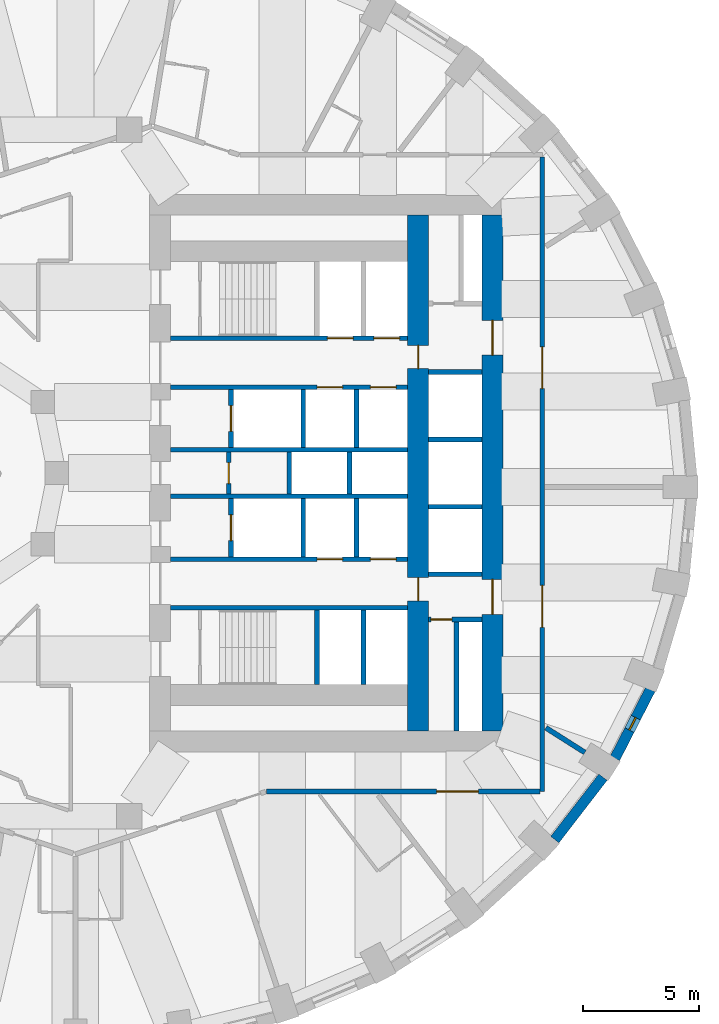
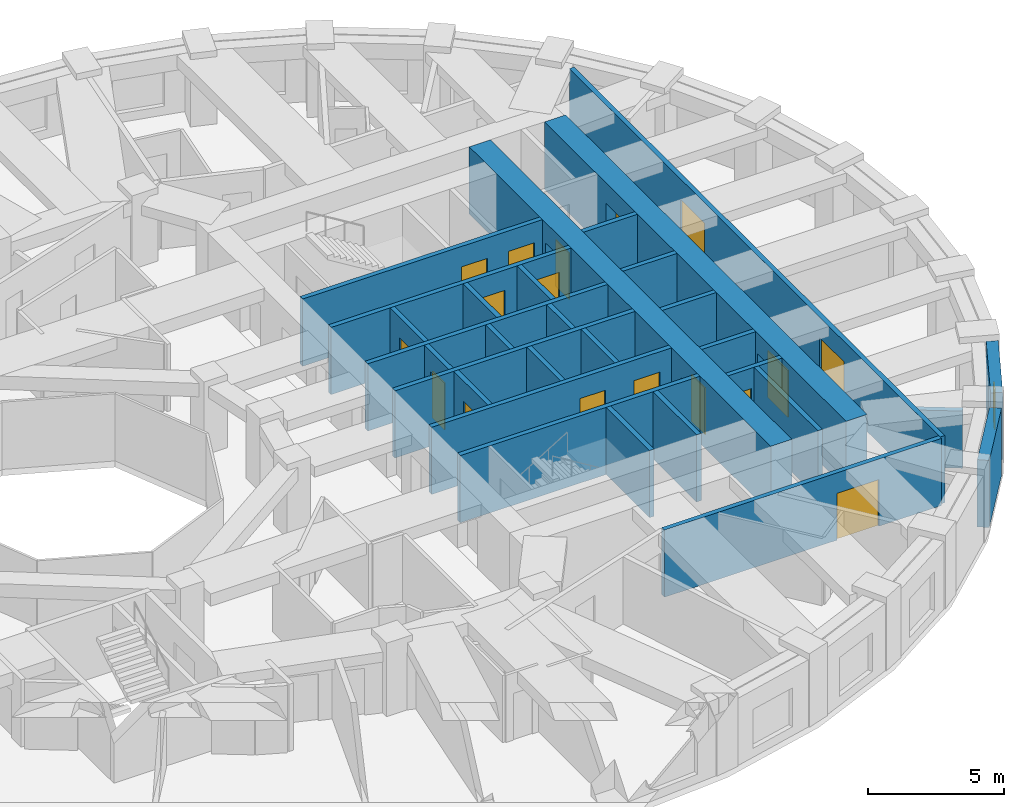
# One storey, part 6 of 12: 30 walls, 17 doors, 1 window, 18 openings.
"""IFC4 building model written with IfcOpenShell, lengths in metres."""

from ifc_helpers import new_model, si_unit, direction, frame, frame_2d, origin, place, context, subcontext, project, spatial, rectangle, extrude, material, layer, layer_set, type_object, element, fill, save


model = new_model("IFC4")

# Units and contexts
model_context = context("Model", 3, precision=1e-05, world=origin(), true_north=direction((0.0, 1.0)))
body_context = subcontext(model_context, "Body", "Model", "MODEL_VIEW")
ifc_project = project(units=[si_unit("LENGTHUNIT", "METRE"), si_unit("AREAUNIT", "SQUARE_METRE"), si_unit("VOLUMEUNIT", "CUBIC_METRE"), si_unit("PLANEANGLEUNIT", "RADIAN"), si_unit("MASSUNIT", "GRAM", prefix="KILO")], contexts=[model_context])

# Site, building, storey
site_placement = place(None, origin())
site = spatial("IfcSite", under=ifc_project, at=site_placement, CompositionType="ELEMENT")
building_placement = place(site_placement, origin())
building = spatial("IfcBuilding", under=site, at=building_placement, Name="Taillehof Tower", CompositionType="ELEMENT")
storey_placement = place(building_placement, frame((0.0, 0.0, 125.199951171875)))
storey = spatial("IfcBuildingStorey", under=building, at=storey_placement, Name="L35", CompositionType="ELEMENT", Elevation=125.199951171875)

# Wall
ifc_material_1 = material(Name="Brick masonry", Category="masonry")
ifc_layer_1 = layer(ifc_material_1, 0.449951171875)
ifc_layer_set_1 = layer_set([ifc_layer_1], Name="Brick infill wall 450")
wall_type_1 = type_object("IfcWallType", Name="Brick infill wall 450", PredefinedType="SOLIDWALL", material=ifc_layer_set_1)
wall_1_placement = place(storey_placement, frame((21.43505859375, -15.775390625, 0.0), z_axis=(0.0, 0.0, 1.0), x_axis=(0.610693945156, 0.791866721961, 0.0)))
element("IfcWall", 1, at=wall_1_placement, inside=storey, type_object=wall_type_1, Name="Brick wall L35 bay 33", PredefinedType="SOLIDWALL", context=body_context, shape_type="SweptSolid", body=[
    extrude(rectangle(XDim=3.39453125, YDim=0.449951171875, at=frame_2d((1.697265625, 0.0))), origin(), (0.0, 0.0, 1.0), 3.02001953125),
])

# Wall, opening, window
wall_2_placement = place(storey_placement, frame((24.022705078125, -12.27685546875, 0.0), z_axis=(0.0, 0.0, 1.0), x_axis=(0.456828186229, 0.889554949549, 0.0)))
wall_2 = element("IfcWall", 2, at=wall_2_placement, inside=storey, type_object=wall_type_1, Name="Brick wall L35 bay 34", PredefinedType="SOLIDWALL", context=body_context, shape_type="SweptSolid", body=[
    extrude(rectangle(XDim=3.332763671875, YDim=0.449951171875, at=frame_2d((1.66650390625, 0.0))), origin(), (0.0, 0.0, 1.0), 3.02001953125),
])
opening_1_placement = place(wall_2_placement, frame((1.366455078125, 0.0, 0.39990234375)))
opening_1 = element("IfcOpeningElement", 3, at=opening_1_placement, cuts=wall_2, Name="Opening W6", PredefinedType="OPENING", context=body_context, shape_type="SweptSolid", body=[
    extrude(rectangle(XDim=0.60009765625, YDim=1.75, at=frame_2d((0.300048828125, 0.875))), frame((0.0, 0.23486328125, 0.0), z_axis=(0.0, -1.0, 0.0), x_axis=(1.0, 0.0, 0.0)), (0.0, 0.0, 1.0), 0.469970703125),
])
ifc_material_2 = material(Name="Aluminium window frame with clear double glazing", Category="aluminium")
window_type = type_object("IfcWindowType", Name="Slot window 600x1750", PartitioningType="SINGLE_PANEL", PredefinedType="WINDOW", material=ifc_material_2)
window_placement = place(opening_1_placement, origin())
window = element("IfcWindow", 4, at=window_placement, inside=storey, type_object=window_type, Name="W6", OverallHeight=1.75, OverallWidth=0.60009765625, PartitioningType="SINGLE_PANEL", PredefinedType="WINDOW", context=body_context, shape_type="SweptSolid", body=[
    extrude(rectangle(XDim=0.60009765625, YDim=1.75, at=frame_2d((0.300048828125, 0.875))), frame((0.0, 0.034912109375, 0.0), z_axis=(0.0, -1.0, 0.0), x_axis=(1.0, 0.0, 0.0)), (0.0, 0.0, 1.0), 0.06005859375),
])
fill(opening_1, window)

# Wall, opening, door
ifc_material_3 = material(Name="Calcium silicate masonry", Category="masonry")
ifc_layer_2 = layer(ifc_material_3, 0.199951171875)
ifc_layer_set_2 = layer_set([ifc_layer_2], Name="Compartment wall calcium silicate 200")
wall_type_2 = type_object("IfcWallType", Name="Compartment wall calcium silicate 200", PredefinedType="PARTITIONING", material=ifc_layer_set_2)
wall_3_placement = place(storey_placement, frame((7.39990234375, -0.89990234375, 0.0), z_axis=(0.0, 0.0, 1.0), x_axis=(0.0, 1.0, 0.0)))
wall_3 = element("IfcWall", 5, at=wall_3_placement, inside=storey, type_object=wall_type_2, Name="Compartment wall FW", PredefinedType="PARTITIONING", context=body_context, shape_type="SweptSolid", body=[
    extrude(rectangle(XDim=1.7998046875, YDim=0.199951171875, at=frame_2d((0.89990234375, 0.0))), origin(), (0.0, 0.0, 1.0), 3.02001953125),
])
opening_2_placement = place(wall_3_placement, frame((0.449951171875, 0.0, 0.0)))
opening_2 = element("IfcOpeningElement", 6, at=opening_2_placement, cuts=wall_3, Name="Opening D3514", PredefinedType="OPENING", context=body_context, shape_type="SweptSolid", body=[
    extrude(rectangle(XDim=0.89990234375, YDim=2.10009765625, at=frame_2d((0.449951171875, 1.050048828125))), frame((0.0, 0.10986328125, 0.0), z_axis=(0.0, -1.0, 0.0), x_axis=(1.0, 0.0, 0.0)), (0.0, 0.0, 1.0), 0.219970703125),
])
ifc_material_4 = material(Name="Steel-faced fire door", Category="steel")
door_type_1 = type_object("IfcDoorType", Name="Riser and service room door 900x2100", OperationType="SINGLE_SWING_LEFT", PredefinedType="DOOR", material=ifc_material_4)
door_1_placement = place(opening_2_placement, origin())
door_1 = element("IfcDoor", 7, at=door_1_placement, inside=storey, type_object=door_type_1, Name="Door Beverage Store", OperationType="SINGLE_SWING_RIGHT", OverallHeight=2.10009765625, OverallWidth=0.89990234375, PredefinedType="DOOR", context=body_context, shape_type="SweptSolid", body=[
    extrude(rectangle(XDim=0.89990234375, YDim=2.10009765625, at=frame_2d((0.449951171875, 1.050048828125))), frame((0.0, 0.02490234375, 0.0), z_axis=(0.0, -1.0, 0.0), x_axis=(1.0, 0.0, 0.0)), (0.0, 0.0, 1.0), 0.050048828125),
])
fill(opening_2, door_1)

# Walls
for number, where, z_axis, x_axis, name in (
    (8, (10.0, -0.89990234375, 0.0), (0.0, 0.0, 1.0), (0.0, 1.0, 0.0), "Compartment wall FW"),
    (9, (12.60009765625, -0.89990234375, 0.0), (0.0, 0.0, 1.0), (0.0, 1.0, 0.0), "Compartment wall FW"),
):
    element("IfcWall", number, at=place(storey_placement, frame(where, z_axis=z_axis, x_axis=x_axis)), inside=storey, type_object=wall_type_2, Name=name, PredefinedType="PARTITIONING", context=body_context, shape_type="SweptSolid", body=[
        extrude(rectangle(XDim=1.7998046875, YDim=0.199951171875, at=frame_2d((0.89990234375, 0.0))), origin(), (0.0, 0.0, 1.0), 3.02001953125),
    ])

# Wall, opening, door
wall_4_placement = place(storey_placement, frame((16.0, -6.300048828125, 0.0), z_axis=(0.0, 0.0, 1.0), x_axis=(1.0, 0.0, 0.0)))
wall_4 = element("IfcWall", 10, at=wall_4_placement, inside=storey, type_object=wall_type_2, Name="Compartment wall FW", PredefinedType="PARTITIONING", context=body_context, shape_type="SweptSolid", body=[
    extrude(rectangle(XDim=2.300048828125, YDim=0.199951171875, at=frame_2d((1.14990234375, 0.0))), origin(), (0.0, 0.0, 1.0), 3.02001953125),
])
opening_3_placement = place(wall_4_placement, frame((0.10009765625, 0.0, 0.0)))
opening_3 = element("IfcOpeningElement", 11, at=opening_3_placement, cuts=wall_4, Name="Opening D3518", PredefinedType="OPENING", context=body_context, shape_type="SweptSolid", body=[
    extrude(rectangle(XDim=0.89990234375, YDim=2.10009765625, at=frame_2d((0.449951171875, 1.050048828125))), frame((0.0, 0.10986328125, 0.0), z_axis=(0.0, -1.0, 0.0), x_axis=(1.0, 0.0, 0.0)), (0.0, 0.0, 1.0), 0.219970703125),
])
door_2_placement = place(opening_3_placement, origin())
door_2 = element("IfcDoor", 12, at=door_2_placement, inside=storey, type_object=door_type_1, Name="Door Pump Room", OperationType="SINGLE_SWING_LEFT", OverallHeight=2.10009765625, OverallWidth=0.89990234375, PredefinedType="DOOR", context=body_context, shape_type="SweptSolid", body=[
    extrude(rectangle(XDim=0.89990234375, YDim=2.10009765625, at=frame_2d((0.449951171875, 1.050048828125))), frame((0.0, 0.02490234375, 0.0), z_axis=(0.0, -1.0, 0.0), x_axis=(1.0, 0.0, 0.0)), (0.0, 0.0, 1.0), 0.050048828125),
])
fill(opening_3, door_2)

# Wall
wall_5_placement = place(storey_placement, frame((17.199951171875, -11.10009765625, 0.0), z_axis=(0.0, 0.0, 1.0), x_axis=(0.0, 1.0, 0.0)))
element("IfcWall", 13, at=wall_5_placement, inside=storey, type_object=wall_type_2, Name="Compartment wall FW", PredefinedType="PARTITIONING", context=body_context, shape_type="SweptSolid", body=[
    extrude(rectangle(XDim=4.7001953125, YDim=0.199951171875, at=frame_2d((2.35009765625, 0.0))), origin(), (0.0, 0.0, 1.0), 3.02001953125),
])

# Wall, openings, doors
ifc_material_5 = material(Name="Gypsum board on steel studs, two layers each side", Category="steel")
ifc_layer_3 = layer(ifc_material_5, 0.199951171875)
ifc_layer_set_3 = layer_set([ifc_layer_3], Name="Compartment wall corridor 200")
wall_type_3 = type_object("IfcWallType", Name="Compartment wall corridor 200", PredefinedType="PARTITIONING", material=ifc_layer_set_3)
wall_6_placement = place(storey_placement, frame((20.89990234375, 13.599853515625, 0.0), z_axis=(0.0, 0.0, 1.0), x_axis=(0.0, -1.0, 0.0)))
wall_6 = element("IfcWall", 14, at=wall_6_placement, inside=storey, type_object=wall_type_3, Name="Compartment wall", PredefinedType="PARTITIONING", context=body_context, shape_type="SweptSolid", body=[
    extrude(rectangle(XDim=27.2998046875, YDim=0.199951171875, at=frame_2d((13.64990234375, 0.0))), origin(), (0.0, 0.0, 1.0), 3.02001953125),
])
opening_4_placement = place(wall_6_placement, frame((18.433349609375, 0.0, 0.0)))
opening_4 = element("IfcOpeningElement", 15, at=opening_4_placement, cuts=wall_6, Name="Opening D3563", PredefinedType="OPENING", context=body_context, shape_type="SweptSolid", body=[
    extrude(rectangle(XDim=1.800048828125, YDim=2.10009765625, at=frame_2d((0.89990234375, 1.050048828125))), frame((0.0, 0.10986328125, 0.0), z_axis=(0.0, -1.0, 0.0), x_axis=(1.0, 0.0, 0.0)), (0.0, 0.0, 1.0), 0.219970703125),
])
opening_5_placement = place(wall_6_placement, frame((8.16650390625, 0.0, 0.0)))
opening_5 = element("IfcOpeningElement", 16, at=opening_5_placement, cuts=wall_6, Name="Opening D3564", PredefinedType="OPENING", context=body_context, shape_type="SweptSolid", body=[
    extrude(rectangle(XDim=1.800048828125, YDim=2.10009765625, at=frame_2d((0.89990234375, 1.050048828125))), frame((0.0, 0.10986328125, 0.0), z_axis=(0.0, -1.0, 0.0), x_axis=(1.0, 0.0, 0.0)), (0.0, 0.0, 1.0), 0.219970703125),
])
ifc_material_6 = material(Name="Timber door leaf in steel frame", Category="steel")
door_type_2 = type_object("IfcDoorType", Name="Lounge and meeting room double door EI 30 1800 x 2100", OperationType="SINGLE_SWING_LEFT", PredefinedType="DOOR", material=ifc_material_6)
door_3_placement = place(opening_4_placement, origin())
door_3 = element("IfcDoor", 17, at=door_3_placement, inside=storey, type_object=door_type_2, Name="D3563", OperationType="DOUBLE_DOOR_SINGLE_SWING", OverallHeight=2.10009765625, OverallWidth=1.800048828125, PredefinedType="DOOR", context=body_context, shape_type="SweptSolid", body=[
    extrude(rectangle(XDim=1.800048828125, YDim=2.10009765625, at=frame_2d((0.89990234375, 1.050048828125))), frame((0.0, 0.02490234375, 0.0), z_axis=(0.0, -1.0, 0.0), x_axis=(1.0, 0.0, 0.0)), (0.0, 0.0, 1.0), 0.050048828125),
])
fill(opening_4, door_3)
door_4_placement = place(opening_5_placement, origin())
door_4 = element("IfcDoor", 18, at=door_4_placement, inside=storey, type_object=door_type_2, Name="D3564", OperationType="DOUBLE_DOOR_SINGLE_SWING", OverallHeight=2.10009765625, OverallWidth=1.800048828125, PredefinedType="DOOR", context=body_context, shape_type="SweptSolid", body=[
    extrude(rectangle(XDim=1.800048828125, YDim=2.10009765625, at=frame_2d((0.89990234375, 1.050048828125))), frame((0.0, 0.02490234375, 0.0), z_axis=(0.0, -1.0, 0.0), x_axis=(1.0, 0.0, 0.0)), (0.0, 0.0, 1.0), 0.050048828125),
])
fill(opening_5, door_4)

# Wall, opening, door
wall_7_placement = place(storey_placement, frame((20.7998046875, -13.699951171875, 0.0), z_axis=(0.0, 0.0, 1.0), x_axis=(-1.0, 0.0, 0.0)))
wall_7 = element("IfcWall", 19, at=wall_7_placement, inside=storey, type_object=wall_type_3, Name="Compartment wall", PredefinedType="PARTITIONING", context=body_context, shape_type="SweptSolid", body=[
    extrude(rectangle(XDim=11.777587890625, YDim=0.199951171875, at=frame_2d((5.888671875, 0.0))), origin(), (0.0, 0.0, 1.0), 3.02001953125),
])
opening_6_placement = place(wall_7_placement, frame((2.650146484375, 0.0, 0.0)))
opening_6 = element("IfcOpeningElement", 20, at=opening_6_placement, cuts=wall_7, Name="Opening D3562", PredefinedType="OPENING", context=body_context, shape_type="SweptSolid", body=[
    extrude(rectangle(XDim=1.800048828125, YDim=2.10009765625, at=frame_2d((0.89990234375, 1.050048828125))), frame((0.0, 0.10986328125, 0.0), z_axis=(0.0, -1.0, 0.0), x_axis=(1.0, 0.0, 0.0)), (0.0, 0.0, 1.0), 0.219970703125),
])
door_5_placement = place(opening_6_placement, origin())
door_5 = element("IfcDoor", 21, at=door_5_placement, inside=storey, type_object=door_type_2, Name="D3562", OperationType="DOUBLE_DOOR_SINGLE_SWING", OverallHeight=2.10009765625, OverallWidth=1.800048828125, PredefinedType="DOOR", context=body_context, shape_type="SweptSolid", body=[
    extrude(rectangle(XDim=1.800048828125, YDim=2.10009765625, at=frame_2d((0.89990234375, 1.050048828125))), frame((0.0, 0.02490234375, 0.0), z_axis=(0.0, -1.0, 0.0), x_axis=(1.0, 0.0, 0.0)), (0.0, 0.0, 1.0), 0.050048828125),
])
fill(opening_6, door_5)

# Wall
ifc_material_7 = material(Name="Gypsum board on double steel studs with mineral wool", Category="steel")
ifc_layer_4 = layer(ifc_material_7, 0.219970703125)
ifc_layer_set_4 = layer_set([ifc_layer_4], Name="Compartment wall guest room 220")
wall_type_4 = type_object("IfcWallType", Name="Compartment wall guest room 220", PredefinedType="PARTITIONING", material=ifc_layer_set_4)
wall_8_placement = place(storey_placement, frame((22.7265625, -12.0234375, 0.0), z_axis=(0.0, 0.0, 1.0), x_axis=(-0.84453164716, 0.535505646044, 0.0)))
element("IfcWall", 22, at=wall_8_placement, inside=storey, type_object=wall_type_4, Name="Compartment wall", PredefinedType="PARTITIONING", context=body_context, shape_type="SweptSolid", body=[
    extrude(rectangle(XDim=1.984619140625, YDim=0.219970703125, at=frame_2d((0.9921875, 0.0))), origin(), (0.0, 0.0, 1.0), 2.570068359375),
])

# Wall, openings, doors
ifc_material_8 = material(Name="Concrete C80/95", Category="concrete")
ifc_layer_5 = layer(ifc_material_8, 0.89990234375)
ifc_layer_set_5 = layer_set([ifc_layer_5], Name="Core wall C80/95 900")
wall_type_5 = type_object("IfcWallType", Name="Core wall C80/95 900", PredefinedType="SHEAR", material=ifc_layer_set_5)
wall_9_placement = place(storey_placement, frame((18.75, -11.10009765625, 0.0), z_axis=(0.0, 0.0, 1.0), x_axis=(0.0, 1.0, 0.0)))
wall_9 = element("IfcWall", 23, at=wall_9_placement, inside=storey, type_object=wall_type_5, Name="Core wall CW02", PredefinedType="SHEAR", context=body_context, shape_type="SweptSolid", body=[
    extrude(rectangle(XDim=22.2001953125, YDim=0.89990234375, at=frame_2d((11.10009765625, 0.0))), origin(), (0.0, 0.0, 1.0), 3.02001953125),
])
opening_7_placement = place(wall_9_placement, frame((16.175048828125, 0.0, 0.0)))
opening_7 = element("IfcOpeningElement", 24, at=opening_7_placement, cuts=wall_9, Name="Opening D3508", PredefinedType="OPENING", context=body_context, shape_type="SweptSolid", body=[
    extrude(rectangle(XDim=1.5, YDim=2.10009765625, at=frame_2d((0.75, 1.050048828125))), frame((0.0, 0.4599609375, 0.0), z_axis=(0.0, -1.0, 0.0), x_axis=(1.0, 0.0, 0.0)), (0.0, 0.0, 1.0), 0.919921875),
])
opening_8_placement = place(wall_9_placement, frame((5.02490234375, 0.0, 0.0)))
opening_8 = element("IfcOpeningElement", 25, at=opening_8_placement, cuts=wall_9, Name="Opening D3509", PredefinedType="OPENING", context=body_context, shape_type="SweptSolid", body=[
    extrude(rectangle(XDim=1.5, YDim=2.10009765625, at=frame_2d((0.75, 1.050048828125))), frame((0.0, 0.4599609375, 0.0), z_axis=(0.0, -1.0, 0.0), x_axis=(1.0, 0.0, 0.0)), (0.0, 0.0, 1.0), 0.919921875),
])
ifc_material_9 = material(Name="Steel-faced fire door", Category="steel")
door_type_3 = type_object("IfcDoorType", Name="Lift lobby east door 1500x2100", OperationType="DOUBLE_DOOR_SINGLE_SWING", PredefinedType="DOOR", material=ifc_material_9)
door_6_placement = place(opening_7_placement, origin())
door_6 = element("IfcDoor", 26, at=door_6_placement, inside=storey, type_object=door_type_3, Name="Lift lobby east door north", OperationType="DOUBLE_DOOR_SINGLE_SWING", OverallHeight=2.10009765625, OverallWidth=1.5, PredefinedType="DOOR", context=body_context, shape_type="SweptSolid", body=[
    extrude(rectangle(XDim=1.5, YDim=2.10009765625, at=frame_2d((0.75, 1.050048828125))), frame((0.0, 0.02490234375, 0.0), z_axis=(0.0, -1.0, 0.0), x_axis=(1.0, 0.0, 0.0)), (0.0, 0.0, 1.0), 0.050048828125),
])
fill(opening_7, door_6)
door_7_placement = place(opening_8_placement, origin())
door_7 = element("IfcDoor", 27, at=door_7_placement, inside=storey, type_object=door_type_3, Name="Lift lobby east door south", OperationType="DOUBLE_DOOR_SINGLE_SWING", OverallHeight=2.10009765625, OverallWidth=1.5, PredefinedType="DOOR", context=body_context, shape_type="SweptSolid", body=[
    extrude(rectangle(XDim=1.5, YDim=2.10009765625, at=frame_2d((0.75, 1.050048828125))), frame((0.0, 0.02490234375, 0.0), z_axis=(0.0, -1.0, 0.0), x_axis=(1.0, 0.0, 0.0)), (0.0, 0.0, 1.0), 0.050048828125),
])
fill(opening_8, door_7)

wall_10_placement = place(storey_placement, frame((15.550048828125, -11.10009765625, 0.0), z_axis=(0.0, 0.0, 1.0), x_axis=(0.0, 1.0, 0.0)))
wall_10 = element("IfcWall", 28, at=wall_10_placement, inside=storey, type_object=wall_type_5, Name="Core wall CW05", PredefinedType="SHEAR", context=body_context, shape_type="SweptSolid", body=[
    extrude(rectangle(XDim=22.2001953125, YDim=0.89990234375, at=frame_2d((11.10009765625, 0.0))), origin(), (0.0, 0.0, 1.0), 3.02001953125),
])
opening_9_placement = place(wall_10_placement, frame((15.60009765625, 0.0, 0.0)))
opening_9 = element("IfcOpeningElement", 29, at=opening_9_placement, cuts=wall_10, Name="Opening D3515", PredefinedType="OPENING", context=body_context, shape_type="SweptSolid", body=[
    extrude(rectangle(XDim=1.0, YDim=2.10009765625, at=frame_2d((0.5, 1.050048828125))), frame((0.0, 0.4599609375, 0.0), z_axis=(0.0, -1.0, 0.0), x_axis=(1.0, 0.0, 0.0)), (0.0, 0.0, 1.0), 0.919921875),
])
opening_10_placement = place(wall_10_placement, frame((5.60009765625, 0.0, 0.0)))
opening_10 = element("IfcOpeningElement", 30, at=opening_10_placement, cuts=wall_10, Name="Opening D3517", PredefinedType="OPENING", context=body_context, shape_type="SweptSolid", body=[
    extrude(rectangle(XDim=1.0, YDim=2.10009765625, at=frame_2d((0.5, 1.050048828125))), frame((0.0, 0.4599609375, 0.0), z_axis=(0.0, -1.0, 0.0), x_axis=(1.0, 0.0, 0.0)), (0.0, 0.0, 1.0), 0.919921875),
])
ifc_material_10 = material(Name="Steel-faced fire door", Category="steel")
door_type_4 = type_object("IfcDoorType", Name="Service door 1000x2100", OperationType="SINGLE_SWING_RIGHT", PredefinedType="DOOR", material=ifc_material_10)
door_8_placement = place(opening_9_placement, origin())
door_8 = element("IfcDoor", 31, at=door_8_placement, inside=storey, type_object=door_type_4, Name="Service door strip", OperationType="SINGLE_SWING_RIGHT", OverallHeight=2.10009765625, OverallWidth=1.0, PredefinedType="DOOR", context=body_context, shape_type="SweptSolid", body=[
    extrude(rectangle(XDim=1.0, YDim=2.10009765625, at=frame_2d((0.5, 1.050048828125))), frame((0.0, 0.02490234375, 0.0), z_axis=(0.0, -1.0, 0.0), x_axis=(1.0, 0.0, 0.0)), (0.0, 0.0, 1.0), 0.050048828125),
])
fill(opening_9, door_8)
door_9_placement = place(opening_10_placement, origin())
door_9 = element("IfcDoor", 32, at=door_9_placement, inside=storey, type_object=door_type_4, Name="Service door strip", OperationType="SINGLE_SWING_LEFT", OverallHeight=2.10009765625, OverallWidth=1.0, PredefinedType="DOOR", context=body_context, shape_type="SweptSolid", body=[
    extrude(rectangle(XDim=1.0, YDim=2.10009765625, at=frame_2d((0.5, 1.050048828125))), frame((0.0, 0.02490234375, 0.0), z_axis=(0.0, -1.0, 0.0), x_axis=(1.0, 0.0, 0.0)), (0.0, 0.0, 1.0), 0.050048828125),
])
fill(opening_10, door_9)

ifc_material_11 = material(Name="Concrete C50/60", Category="concrete")
ifc_layer_6 = layer(ifc_material_11, 0.199951171875)
ifc_layer_set_6 = layer_set([ifc_layer_6], Name="Shaft wall C50/60 200")
wall_type_6 = type_object("IfcWallType", Name="Shaft wall C50/60 200", PredefinedType="SHEAR", material=ifc_layer_set_6)
wall_11_placement = place(storey_placement, frame((4.89990234375, 5.800048828125, 0.0), z_axis=(0.0, 0.0, 1.0), x_axis=(1.0, 0.0, 0.0)))
wall_11 = element("IfcWall", 33, at=wall_11_placement, inside=storey, type_object=wall_type_6, Name="Shaft wall SW", PredefinedType="SHEAR", context=body_context, shape_type="SweptSolid", body=[
    extrude(rectangle(XDim=10.2001953125, YDim=0.199951171875, at=frame_2d((5.10009765625, 0.0))), origin(), (0.0, 0.0, 1.0), 3.02001953125),
])
opening_11_placement = place(wall_11_placement, frame((6.75, 0.0, 0.0)))
opening_11 = element("IfcOpeningElement", 34, at=opening_11_placement, cuts=wall_11, Name="Opening LD1", PredefinedType="OPENING", context=body_context, shape_type="SweptSolid", body=[
    extrude(rectangle(XDim=1.10009765625, YDim=2.10009765625, at=frame_2d((0.550048828125, 1.050048828125))), frame((0.0, 0.10986328125, 0.0), z_axis=(0.0, -1.0, 0.0), x_axis=(1.0, 0.0, 0.0)), (0.0, 0.0, 1.0), 0.219970703125),
])
opening_12_placement = place(wall_11_placement, frame((8.75, 0.0, 0.0)))
opening_12 = element("IfcOpeningElement", 35, at=opening_12_placement, cuts=wall_11, Name="Opening LD1", PredefinedType="OPENING", context=body_context, shape_type="SweptSolid", body=[
    extrude(rectangle(XDim=1.10009765625, YDim=2.10009765625, at=frame_2d((0.550048828125, 1.050048828125))), frame((0.0, 0.10986328125, 0.0), z_axis=(0.0, -1.0, 0.0), x_axis=(1.0, 0.0, 0.0)), (0.0, 0.0, 1.0), 0.219970703125),
])
ifc_material_12 = material(Name="Stainless steel", Category="steel")
door_type_5 = type_object("IfcDoorType", Name="Lift landing door LD1 1100x2100", OperationType="DOUBLE_DOOR_SLIDING", PredefinedType="DOOR", material=ifc_material_12)
door_10_placement = place(opening_11_placement, origin())
door_10 = element("IfcDoor", 36, at=door_10_placement, inside=storey, type_object=door_type_5, Name="Landing door LR1", OperationType="DOUBLE_DOOR_SLIDING", OverallHeight=2.10009765625, OverallWidth=1.10009765625, PredefinedType="DOOR", context=body_context, shape_type="SweptSolid", body=[
    extrude(rectangle(XDim=1.10009765625, YDim=2.10009765625, at=frame_2d((0.550048828125, 1.050048828125))), frame((0.0, 0.02490234375, 0.0), z_axis=(0.0, -1.0, 0.0), x_axis=(1.0, 0.0, 0.0)), (0.0, 0.0, 1.0), 0.050048828125),
])
fill(opening_11, door_10)
door_11_placement = place(opening_12_placement, origin())
door_11 = element("IfcDoor", 37, at=door_11_placement, inside=storey, type_object=door_type_5, Name="Landing door LR2", OperationType="DOUBLE_DOOR_SLIDING", OverallHeight=2.10009765625, OverallWidth=1.10009765625, PredefinedType="DOOR", context=body_context, shape_type="SweptSolid", body=[
    extrude(rectangle(XDim=1.10009765625, YDim=2.10009765625, at=frame_2d((0.550048828125, 1.050048828125))), frame((0.0, 0.02490234375, 0.0), z_axis=(0.0, -1.0, 0.0), x_axis=(1.0, 0.0, 0.0)), (0.0, 0.0, 1.0), 0.050048828125),
])
fill(opening_12, door_11)

wall_12_placement = place(storey_placement, frame((4.89990234375, 3.699951171875, 0.0), z_axis=(0.0, 0.0, 1.0), x_axis=(1.0, 0.0, 0.0)))
wall_12 = element("IfcWall", 38, at=wall_12_placement, inside=storey, type_object=wall_type_6, Name="Shaft wall SW", PredefinedType="SHEAR", context=body_context, shape_type="SweptSolid", body=[
    extrude(rectangle(XDim=10.2001953125, YDim=0.199951171875, at=frame_2d((5.10009765625, 0.0))), origin(), (0.0, 0.0, 1.0), 3.02001953125),
])
opening_13_placement = place(wall_12_placement, frame((6.300048828125, 0.0, 0.0)))
opening_13 = element("IfcOpeningElement", 39, at=opening_13_placement, cuts=wall_12, Name="Opening LD1", PredefinedType="OPENING", context=body_context, shape_type="SweptSolid", body=[
    extrude(rectangle(XDim=1.10009765625, YDim=2.10009765625, at=frame_2d((0.550048828125, 1.050048828125))), frame((0.0, 0.10986328125, 0.0), z_axis=(0.0, -1.0, 0.0), x_axis=(1.0, 0.0, 0.0)), (0.0, 0.0, 1.0), 0.219970703125),
])
opening_14_placement = place(wall_12_placement, frame((8.60009765625, 0.0, 0.0)))
opening_14 = element("IfcOpeningElement", 40, at=opening_14_placement, cuts=wall_12, Name="Opening LD1", PredefinedType="OPENING", context=body_context, shape_type="SweptSolid", body=[
    extrude(rectangle(XDim=1.10009765625, YDim=2.10009765625, at=frame_2d((0.550048828125, 1.050048828125))), frame((0.0, 0.10986328125, 0.0), z_axis=(0.0, -1.0, 0.0), x_axis=(1.0, 0.0, 0.0)), (0.0, 0.0, 1.0), 0.219970703125),
])
door_12_placement = place(opening_13_placement, origin())
door_12 = element("IfcDoor", 41, at=door_12_placement, inside=storey, type_object=door_type_5, Name="Landing door LR3", OperationType="DOUBLE_DOOR_SLIDING", OverallHeight=2.10009765625, OverallWidth=1.10009765625, PredefinedType="DOOR", context=body_context, shape_type="SweptSolid", body=[
    extrude(rectangle(XDim=1.10009765625, YDim=2.10009765625, at=frame_2d((0.550048828125, 1.050048828125))), frame((0.0, 0.02490234375, 0.0), z_axis=(0.0, -1.0, 0.0), x_axis=(1.0, 0.0, 0.0)), (0.0, 0.0, 1.0), 0.050048828125),
])
fill(opening_13, door_12)
door_13_placement = place(opening_14_placement, origin())
door_13 = element("IfcDoor", 42, at=door_13_placement, inside=storey, type_object=door_type_5, Name="Landing door LR4", OperationType="DOUBLE_DOOR_SLIDING", OverallHeight=2.10009765625, OverallWidth=1.10009765625, PredefinedType="DOOR", context=body_context, shape_type="SweptSolid", body=[
    extrude(rectangle(XDim=1.10009765625, YDim=2.10009765625, at=frame_2d((0.550048828125, 1.050048828125))), frame((0.0, 0.02490234375, 0.0), z_axis=(0.0, -1.0, 0.0), x_axis=(1.0, 0.0, 0.0)), (0.0, 0.0, 1.0), 0.050048828125),
])
fill(opening_14, door_13)

# Walls
for number, where, z_axis, x_axis, name in (
    (43, (4.89990234375, 1.0, 0.0), (0.0, 0.0, 1.0), (1.0, 0.0, 0.0), "Shaft wall SW"),
    (44, (4.89990234375, -1.0, 0.0), (0.0, 0.0, 1.0), (1.0, 0.0, 0.0), "Shaft wall SW"),
):
    element("IfcWall", number, at=place(storey_placement, frame(where, z_axis=z_axis, x_axis=x_axis)), inside=storey, type_object=wall_type_6, Name=name, PredefinedType="SHEAR", context=body_context, shape_type="SweptSolid", body=[
        extrude(rectangle(XDim=10.2001953125, YDim=0.199951171875, at=frame_2d((5.10009765625, 0.0))), origin(), (0.0, 0.0, 1.0), 3.02001953125),
    ])

# Wall, openings, doors
wall_13_placement = place(storey_placement, frame((4.89990234375, -3.699951171875, 0.0), z_axis=(0.0, 0.0, 1.0), x_axis=(1.0, 0.0, 0.0)))
wall_13 = element("IfcWall", 45, at=wall_13_placement, inside=storey, type_object=wall_type_6, Name="Shaft wall SW", PredefinedType="SHEAR", context=body_context, shape_type="SweptSolid", body=[
    extrude(rectangle(XDim=10.2001953125, YDim=0.199951171875, at=frame_2d((5.10009765625, 0.0))), origin(), (0.0, 0.0, 1.0), 3.02001953125),
])
opening_15_placement = place(wall_13_placement, frame((6.300048828125, 0.0, 0.0)))
opening_15 = element("IfcOpeningElement", 46, at=opening_15_placement, cuts=wall_13, Name="Opening LD1", PredefinedType="OPENING", context=body_context, shape_type="SweptSolid", body=[
    extrude(rectangle(XDim=1.10009765625, YDim=2.10009765625, at=frame_2d((0.550048828125, 1.050048828125))), frame((0.0, 0.10986328125, 0.0), z_axis=(0.0, -1.0, 0.0), x_axis=(1.0, 0.0, 0.0)), (0.0, 0.0, 1.0), 0.219970703125),
])
opening_16_placement = place(wall_13_placement, frame((8.60009765625, 0.0, 0.0)))
opening_16 = element("IfcOpeningElement", 47, at=opening_16_placement, cuts=wall_13, Name="Opening LD1", PredefinedType="OPENING", context=body_context, shape_type="SweptSolid", body=[
    extrude(rectangle(XDim=1.10009765625, YDim=2.10009765625, at=frame_2d((0.550048828125, 1.050048828125))), frame((0.0, 0.10986328125, 0.0), z_axis=(0.0, -1.0, 0.0), x_axis=(1.0, 0.0, 0.0)), (0.0, 0.0, 1.0), 0.219970703125),
])
door_14_placement = place(opening_15_placement, origin())
door_14 = element("IfcDoor", 48, at=door_14_placement, inside=storey, type_object=door_type_5, Name="Landing door LR5", OperationType="DOUBLE_DOOR_SLIDING", OverallHeight=2.10009765625, OverallWidth=1.10009765625, PredefinedType="DOOR", context=body_context, shape_type="SweptSolid", body=[
    extrude(rectangle(XDim=1.10009765625, YDim=2.10009765625, at=frame_2d((0.550048828125, 1.050048828125))), frame((0.0, 0.02490234375, 0.0), z_axis=(0.0, -1.0, 0.0), x_axis=(1.0, 0.0, 0.0)), (0.0, 0.0, 1.0), 0.050048828125),
])
fill(opening_15, door_14)
door_15_placement = place(opening_16_placement, origin())
door_15 = element("IfcDoor", 49, at=door_15_placement, inside=storey, type_object=door_type_5, Name="Landing door LR6", OperationType="DOUBLE_DOOR_SLIDING", OverallHeight=2.10009765625, OverallWidth=1.10009765625, PredefinedType="DOOR", context=body_context, shape_type="SweptSolid", body=[
    extrude(rectangle(XDim=1.10009765625, YDim=2.10009765625, at=frame_2d((0.550048828125, 1.050048828125))), frame((0.0, 0.02490234375, 0.0), z_axis=(0.0, -1.0, 0.0), x_axis=(1.0, 0.0, 0.0)), (0.0, 0.0, 1.0), 0.050048828125),
])
fill(opening_16, door_15)

# Walls
wall_14_placement = place(storey_placement, frame((4.89990234375, -5.800048828125, 0.0), z_axis=(0.0, 0.0, 1.0), x_axis=(1.0, 0.0, 0.0)))
element("IfcWall", 50, at=wall_14_placement, inside=storey, type_object=wall_type_6, Name="Shaft wall SW", PredefinedType="SHEAR", context=body_context, shape_type="SweptSolid", body=[
    extrude(rectangle(XDim=10.2001953125, YDim=0.199951171875, at=frame_2d((5.10009765625, 0.0))), origin(), (0.0, 0.0, 1.0), 3.02001953125),
])
for number, where, z_axis, x_axis, name in (
    (51, (11.199951171875, -9.10009765625, 0.0), (0.0, 0.0, 1.0), (0.0, 1.0, 0.0), "Shaft wall SW"),
    (52, (13.199951171875, -9.10009765625, 0.0), (0.0, 0.0, 1.0), (0.0, 1.0, 0.0), "Shaft wall SW"),
):
    element("IfcWall", number, at=place(storey_placement, frame(where, z_axis=z_axis, x_axis=x_axis)), inside=storey, type_object=wall_type_6, Name=name, PredefinedType="SHEAR", context=body_context, shape_type="SweptSolid", body=[
        extrude(rectangle(XDim=3.2001953125, YDim=0.199951171875, at=frame_2d((1.60009765625, 0.0))), origin(), (0.0, 0.0, 1.0), 3.02001953125),
    ])

# Wall, opening, door
wall_15_placement = place(storey_placement, frame((7.5, 1.10009765625, 0.0), z_axis=(0.0, 0.0, 1.0), x_axis=(0.0, 1.0, 0.0)))
wall_15 = element("IfcWall", 53, at=wall_15_placement, inside=storey, type_object=wall_type_6, Name="Shaft wall SW", PredefinedType="SHEAR", context=body_context, shape_type="SweptSolid", body=[
    extrude(rectangle(XDim=2.5, YDim=0.199951171875, at=frame_2d((1.25, 0.0))), origin(), (0.0, 0.0, 1.0), 3.02001953125),
])
opening_17_placement = place(wall_15_placement, frame((0.699951171875, 0.0, 0.0)))
opening_17 = element("IfcOpeningElement", 54, at=opening_17_placement, cuts=wall_15, Name="Opening LD1", PredefinedType="OPENING", context=body_context, shape_type="SweptSolid", body=[
    extrude(rectangle(XDim=1.10009765625, YDim=2.10009765625, at=frame_2d((0.550048828125, 1.050048828125))), frame((0.0, 0.10986328125, 0.0), z_axis=(0.0, -1.0, 0.0), x_axis=(1.0, 0.0, 0.0)), (0.0, 0.0, 1.0), 0.219970703125),
])
door_16_placement = place(opening_17_placement, origin())
door_16 = element("IfcDoor", 55, at=door_16_placement, inside=storey, type_object=door_type_5, Name="Landing door FF1", OperationType="DOUBLE_DOOR_SLIDING", OverallHeight=2.10009765625, OverallWidth=1.10009765625, PredefinedType="DOOR", context=body_context, shape_type="SweptSolid", body=[
    extrude(rectangle(XDim=1.10009765625, YDim=2.10009765625, at=frame_2d((0.550048828125, 1.050048828125))), frame((0.0, 0.02490234375, 0.0), z_axis=(0.0, -1.0, 0.0), x_axis=(1.0, 0.0, 0.0)), (0.0, 0.0, 1.0), 0.050048828125),
])
fill(opening_17, door_16)

wall_16_placement = place(storey_placement, frame((7.5, -3.60009765625, 0.0), z_axis=(0.0, 0.0, 1.0), x_axis=(0.0, 1.0, 0.0)))
wall_16 = element("IfcWall", 56, at=wall_16_placement, inside=storey, type_object=wall_type_6, Name="Shaft wall SW", PredefinedType="SHEAR", context=body_context, shape_type="SweptSolid", body=[
    extrude(rectangle(XDim=2.5, YDim=0.199951171875, at=frame_2d((1.25, 0.0))), origin(), (0.0, 0.0, 1.0), 3.02001953125),
])
opening_18_placement = place(wall_16_placement, frame((0.699951171875, 0.0, 0.0)))
opening_18 = element("IfcOpeningElement", 57, at=opening_18_placement, cuts=wall_16, Name="Opening LD1", PredefinedType="OPENING", context=body_context, shape_type="SweptSolid", body=[
    extrude(rectangle(XDim=1.10009765625, YDim=2.10009765625, at=frame_2d((0.550048828125, 1.050048828125))), frame((0.0, 0.10986328125, 0.0), z_axis=(0.0, -1.0, 0.0), x_axis=(1.0, 0.0, 0.0)), (0.0, 0.0, 1.0), 0.219970703125),
])
door_17_placement = place(opening_18_placement, origin())
door_17 = element("IfcDoor", 58, at=door_17_placement, inside=storey, type_object=door_type_5, Name="Landing door FF2", OperationType="DOUBLE_DOOR_SLIDING", OverallHeight=2.10009765625, OverallWidth=1.10009765625, PredefinedType="DOOR", context=body_context, shape_type="SweptSolid", body=[
    extrude(rectangle(XDim=1.10009765625, YDim=2.10009765625, at=frame_2d((0.550048828125, 1.050048828125))), frame((0.0, 0.02490234375, 0.0), z_axis=(0.0, -1.0, 0.0), x_axis=(1.0, 0.0, 0.0)), (0.0, 0.0, 1.0), 0.050048828125),
])
fill(opening_18, door_17)

# Walls
for number, where, z_axis, x_axis, name in (
    (59, (10.60009765625, 1.10009765625, 0.0), (0.0, 0.0, 1.0), (0.0, 1.0, 0.0), "Shaft wall SW"),
    (60, (10.60009765625, -3.60009765625, 0.0), (0.0, 0.0, 1.0), (0.0, 1.0, 0.0), "Shaft wall SW"),
    (61, (12.89990234375, 1.10009765625, 0.0), (0.0, 0.0, 1.0), (0.0, 1.0, 0.0), "Shaft wall SW"),
    (62, (12.89990234375, -3.60009765625, 0.0), (0.0, 0.0, 1.0), (0.0, 1.0, 0.0), "Shaft wall SW"),
):
    element("IfcWall", number, at=place(storey_placement, frame(where, z_axis=z_axis, x_axis=x_axis)), inside=storey, type_object=wall_type_6, Name=name, PredefinedType="SHEAR", context=body_context, shape_type="SweptSolid", body=[
        extrude(rectangle(XDim=2.5, YDim=0.199951171875, at=frame_2d((1.25, 0.0))), origin(), (0.0, 0.0, 1.0), 3.02001953125),
    ])
for number, where, z_axis, x_axis, name in (
    (63, (16.0, -4.35009765625, 0.0), (0.0, 0.0, 1.0), (1.0, 0.0, 0.0), "Shaft wall SW"),
    (64, (16.0, -1.449951171875, 0.0), (0.0, 0.0, 1.0), (1.0, 0.0, 0.0), "Shaft wall SW"),
    (65, (16.0, 1.449951171875, 0.0), (0.0, 0.0, 1.0), (1.0, 0.0, 0.0), "Shaft wall SW"),
    (66, (16.0, 4.35009765625, 0.0), (0.0, 0.0, 1.0), (1.0, 0.0, 0.0), "Shaft wall SW"),
):
    element("IfcWall", number, at=place(storey_placement, frame(where, z_axis=z_axis, x_axis=x_axis)), inside=storey, type_object=wall_type_6, Name=name, PredefinedType="SHEAR", context=body_context, shape_type="SweptSolid", body=[
        extrude(rectangle(XDim=2.300048828125, YDim=0.199951171875, at=frame_2d((1.14990234375, 0.0))), origin(), (0.0, 0.0, 1.0), 3.02001953125),
    ])

save(model, "model.ifc")
